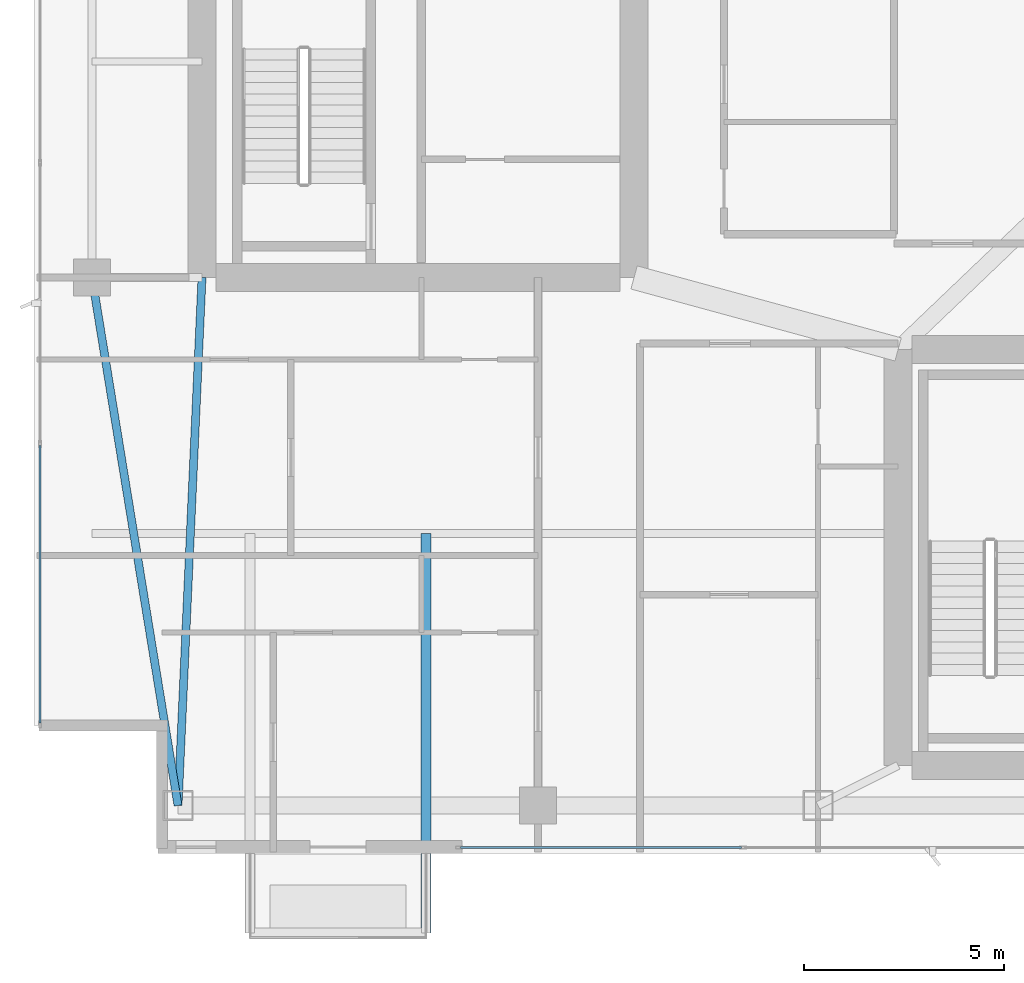
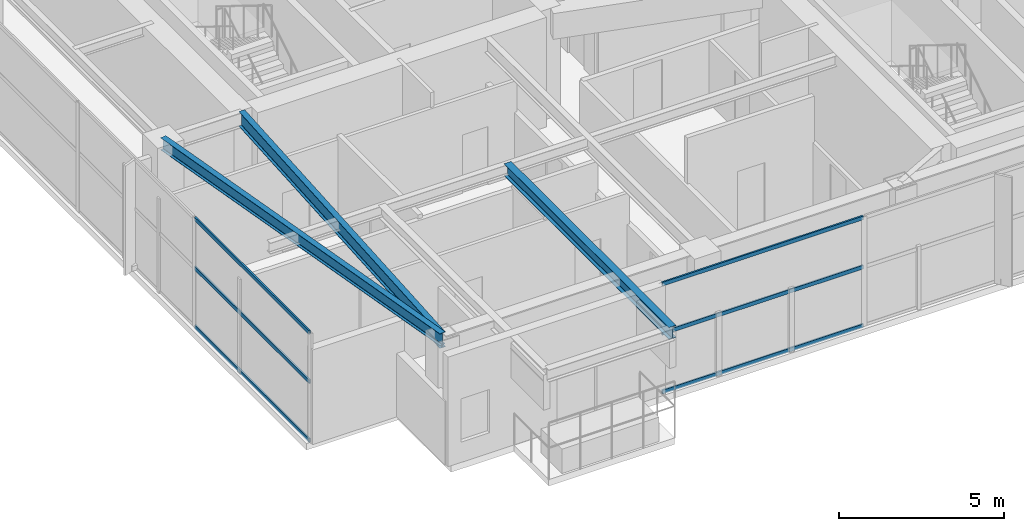
# One storey, part 3 of 27: 6 members, 3 beams, 2 elements without a shape of their own.
"""IFC4 building model written with IfcOpenShell, lengths in metres."""

from ifc_helpers import new_model, si_unit, direction, frame, origin, origin_2d, place, context, subcontext, project, spatial, hollow_rectangle, i_section, extrude, material, layer, layer_set, material_profile, profile_set, type_object, element, aggregate, save


model = new_model("IFC4")

# Units and contexts
model_context = context("Model", 3, precision=1e-05, world=origin(), true_north=direction((0.0, 1.0)))
body_context = subcontext(model_context, "Body", "Model", "MODEL_VIEW")
ifc_project = project(units=[si_unit("LENGTHUNIT", "METRE"), si_unit("AREAUNIT", "SQUARE_METRE"), si_unit("VOLUMEUNIT", "CUBIC_METRE"), si_unit("PLANEANGLEUNIT", "RADIAN"), si_unit("MASSUNIT", "GRAM", prefix="KILO")], contexts=[model_context])

# Site, building, storey
site_placement = place(None, origin())
site = spatial("IfcSite", under=ifc_project, at=site_placement, CompositionType="ELEMENT")
building_placement = place(site_placement, origin())
building = spatial("IfcBuilding", under=site, at=building_placement, Name="Calvorn Quay Hotel", CompositionType="ELEMENT")
storey_placement = place(building_placement, frame((0.0, 0.0, 239.300048828125)))
storey = spatial("IfcBuildingStorey", under=building, at=storey_placement, Name="L59", CompositionType="ELEMENT", Elevation=239.300048828125)

# Beams
ifc_material_1 = material(Name="Steel Q355B", Category="steel")
ifc_material_profile_1 = material_profile(ifc_material_1, i_section(OverallWidth=0.25, OverallDepth=0.449951171875, WebThickness=0.011962890625, FlangeThickness=0.01611328125, FilletRadius=0.01611328125, at=origin_2d()), Name="HN450x250x12x16")
ifc_profile_set_1 = profile_set([ifc_material_profile_1], Name="Steel Q355B")
beam_type_1 = type_object("IfcBeamType", Name="BM-CANT-BALC", PredefinedType="BEAM", material=ifc_profile_set_1)
beam_1_placement = place(storey_placement, frame((9.800048828125, 10.39990234375, 3.824951171875), z_axis=(0.0, -1.0, 0.0), x_axis=(1.0, 0.0, 0.0)))
element("IfcBeam", 1, at=beam_1_placement, inside=storey, type_object=beam_type_1, Name="Cantilever Balcony Beam BCB-L60-1B", PredefinedType="BEAM", context=body_context, shape_type="SweptSolid", body=[
    extrude(i_section(OverallWidth=0.25, OverallDepth=0.449951171875, WebThickness=0.011962890625, FlangeThickness=0.01611328125, FilletRadius=0.01611328125, at=origin_2d()), origin(), (0.0, 0.0, 1.0), 9.989990234375),
])
ifc_material_2 = material(Name="Steel Q355B", Category="steel")
ifc_material_profile_2 = material_profile(ifc_material_2, i_section(OverallWidth=0.199951171875, OverallDepth=0.550048828125, WebThickness=0.010009765625, FlangeThickness=0.01611328125, FilletRadius=0.01806640625, at=origin_2d()), Name="HN550x200x10x16")
ifc_profile_set_2 = profile_set([ifc_material_profile_2], Name="Steel Q355B")
beam_type_2 = type_object("IfcBeamType", Name="BM-GIRD-UPP", PredefinedType="BEAM", material=ifc_profile_set_2)
beam_2_placement = place(storey_placement, frame((3.60009765625, 3.60009765625, 3.77490234375), z_axis=(0.045396765494, 0.998969035397, 0.0), x_axis=(-0.998969035397, 0.045396765494, 0.0)))
element("IfcBeam", 2, at=beam_2_placement, inside=storey, type_object=beam_type_2, Name="Beam BG-L59-W0", PredefinedType="BEAM", context=body_context, shape_type="SweptSolid", body=[
    extrude(i_section(OverallWidth=0.199951171875, OverallDepth=0.550048828125, WebThickness=0.010009765625, FlangeThickness=0.01611328125, FilletRadius=0.01806640625, at=origin_2d()), origin(), (0.0, 0.0, 1.0), 13.213623046875),
])
ifc_material_3 = material(Name="Steel Q355B", Category="steel")
ifc_material_profile_3 = material_profile(ifc_material_3, i_section(OverallWidth=0.199951171875, OverallDepth=0.449951171875, WebThickness=0.009033203125, FlangeThickness=0.013916015625, FilletRadius=0.01611328125, at=origin_2d()), Name="HN450x200x9x14")
ifc_profile_set_3 = profile_set([ifc_material_profile_3], Name="Steel Q355B")
beam_type_3 = type_object("IfcBeamType", Name="BM-SPANDREL-Z3", PredefinedType="SPANDREL", material=ifc_profile_set_3)
beam_3_placement = place(storey_placement, frame((3.60009765625, 3.60009765625, 3.824951171875), z_axis=(-0.16077155054, 0.986991645627, 0.0), x_axis=(-0.986991645627, -0.16077155054, 0.0)))
element("IfcBeam", 3, at=beam_3_placement, inside=storey, type_object=beam_type_3, Name="Beam BSP-L59-W1", PredefinedType="SPANDREL", context=body_context, shape_type="SweptSolid", body=[
    extrude(i_section(OverallWidth=0.199951171875, OverallDepth=0.449951171875, WebThickness=0.009033203125, FlangeThickness=0.013916015625, FilletRadius=0.01611328125, at=origin_2d()), origin(), (0.0, 0.0, 1.0), 13.3740234375),
])

# Curtain wall, members
ifc_material_4 = material(Name="Champagne Bronze Anodised Aluminium and Low-E Glass", Category="aluminium")
ifc_layer = layer(ifc_material_4, 0.219970703125)
ifc_layer_set = layer_set([ifc_layer], Name="CW-SYS-Z3")
curtain_wall_type = type_object("IfcCurtainWallType", Name="CW-SYS-Z3", PredefinedType="NOTDEFINED", material=ifc_layer_set)
curtain_wall_1_placement = place(storey_placement, origin())
curtain_wall_1 = element("IfcCurtainWall", 4, at=curtain_wall_1_placement, inside=storey, type_object=curtain_wall_type, Name="Tower West Curtain Wall (L59)", PredefinedType="NOTDEFINED")
ifc_material_5 = material(Name="Champagne Bronze Anodised Aluminium 6063-T6", Category="aluminium")
ifc_material_profile_4 = material_profile(ifc_material_5, hollow_rectangle(XDim=0.05810546875, YDim=0.139892578125, WallThickness=0.003173828125, at=origin_2d()), Name="ALU-T140x58x3.2")
ifc_profile_set_4 = profile_set([ifc_material_profile_4], Name="Champagne Bronze Anodised Aluminium 6063-T6")
member_type = type_object("IfcMemberType", Name="CW-SYS-Z3-TRN", PredefinedType="USERDEFINED", material=ifc_profile_set_4)
member_1_placement = place(storey_placement, frame((0.14990234375, 5.659912109375, 0.030029296875), z_axis=(0.0, 1.0, 0.0), x_axis=(-1.0, 0.0, 0.0)))
member_1 = element("IfcMember", 5, at=member_1_placement, type_object=member_type, Name="CW-L59-W transom 1.1", ObjectType="TRANSOM", PredefinedType="USERDEFINED", context=body_context, shape_type="SweptSolid", body=[
    extrude(hollow_rectangle(XDim=0.05810546875, YDim=0.139892578125, WallThickness=0.003173828125, at=origin_2d()), origin(), (0.0, 0.0, 1.0), 6.943359375),
])
member_2_placement = place(storey_placement, frame((0.14990234375, 5.659912109375, 2.199951171875), z_axis=(0.0, 1.0, 0.0), x_axis=(-1.0, 0.0, 0.0)))
member_2 = element("IfcMember", 6, at=member_2_placement, type_object=member_type, Name="CW-L59-W transom 1.2", ObjectType="TRANSOM", PredefinedType="USERDEFINED", context=body_context, shape_type="SweptSolid", body=[
    extrude(hollow_rectangle(XDim=0.05810546875, YDim=0.139892578125, WallThickness=0.003173828125, at=origin_2d()), origin(), (0.0, 0.0, 1.0), 6.943359375),
])
member_3_placement = place(storey_placement, frame((0.14990234375, 5.659912109375, 4.02001953125), z_axis=(0.0, 1.0, 0.0), x_axis=(-1.0, 0.0, 0.0)))
member_3 = element("IfcMember", 7, at=member_3_placement, type_object=member_type, Name="CW-L59-W transom 1.3", ObjectType="TRANSOM", PredefinedType="USERDEFINED", context=body_context, shape_type="SweptSolid", body=[
    extrude(hollow_rectangle(XDim=0.05810546875, YDim=0.139892578125, WallThickness=0.003173828125, at=origin_2d()), origin(), (0.0, 0.0, 1.0), 6.943359375),
])
aggregate(curtain_wall_1, [member_1, member_2, member_3])

curtain_wall_2_placement = place(storey_placement, origin())
curtain_wall_2 = element("IfcCurtainWall", 8, at=curtain_wall_2_placement, inside=storey, type_object=curtain_wall_type, Name="Tower South Waterfront Curtain Wall (L59)", PredefinedType="NOTDEFINED")
member_4_placement = place(storey_placement, frame((10.659912109375, 2.550048828125, 0.030029296875), z_axis=(1.0, 0.0, 0.0), x_axis=(0.0, 1.0, 0.0)))
member_4 = element("IfcMember", 9, at=member_4_placement, type_object=member_type, Name="CW-L59-S transom 1.1", ObjectType="TRANSOM", PredefinedType="USERDEFINED", context=body_context, shape_type="SweptSolid", body=[
    extrude(hollow_rectangle(XDim=0.05810546875, YDim=0.139892578125, WallThickness=0.003173828125, at=origin_2d()), origin(), (0.0, 0.0, 1.0), 7.030029296875),
])
member_5_placement = place(storey_placement, frame((10.659912109375, 2.550048828125, 2.199951171875), z_axis=(1.0, 0.0, 0.0), x_axis=(0.0, 1.0, 0.0)))
member_5 = element("IfcMember", 10, at=member_5_placement, type_object=member_type, Name="CW-L59-S transom 1.2", ObjectType="TRANSOM", PredefinedType="USERDEFINED", context=body_context, shape_type="SweptSolid", body=[
    extrude(hollow_rectangle(XDim=0.05810546875, YDim=0.139892578125, WallThickness=0.003173828125, at=origin_2d()), origin(), (0.0, 0.0, 1.0), 7.030029296875),
])
member_6_placement = place(storey_placement, frame((10.659912109375, 2.550048828125, 4.02001953125), z_axis=(1.0, 0.0, 0.0), x_axis=(0.0, 1.0, 0.0)))
member_6 = element("IfcMember", 11, at=member_6_placement, type_object=member_type, Name="CW-L59-S transom 1.3", ObjectType="TRANSOM", PredefinedType="USERDEFINED", context=body_context, shape_type="SweptSolid", body=[
    extrude(hollow_rectangle(XDim=0.05810546875, YDim=0.139892578125, WallThickness=0.003173828125, at=origin_2d()), origin(), (0.0, 0.0, 1.0), 7.030029296875),
])
aggregate(curtain_wall_2, [member_4, member_5, member_6])

save(model, "model.ifc")
